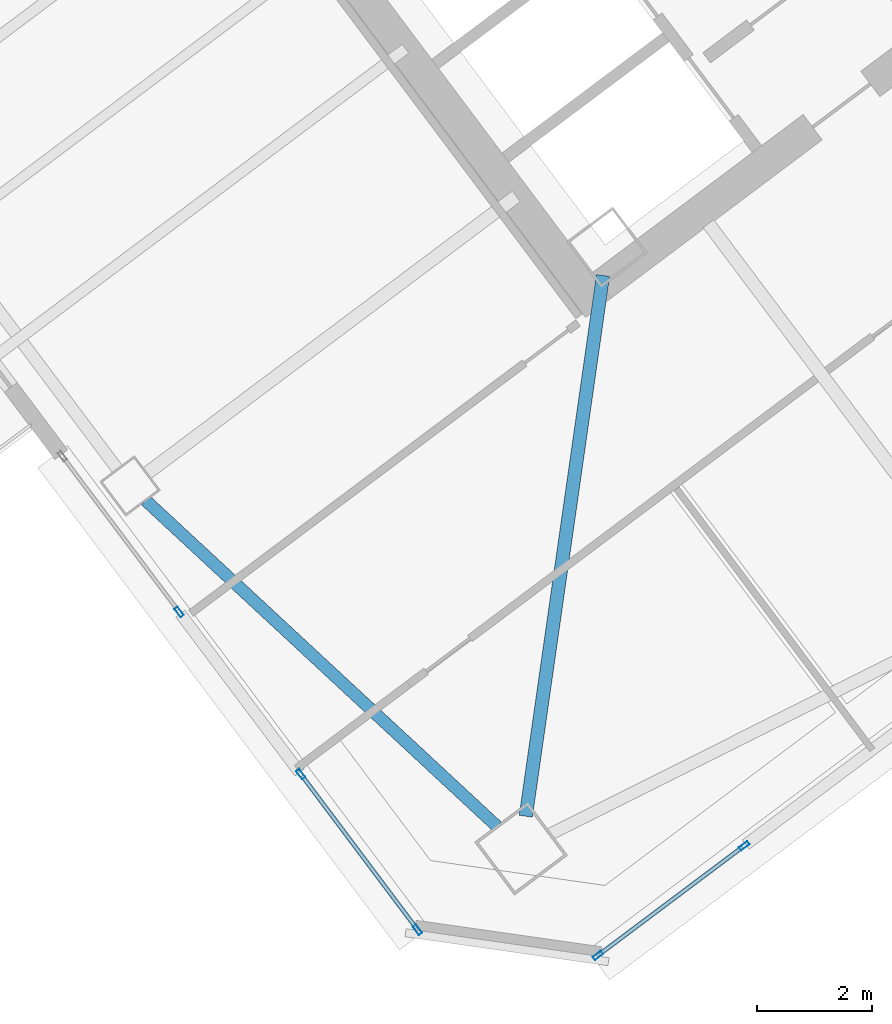
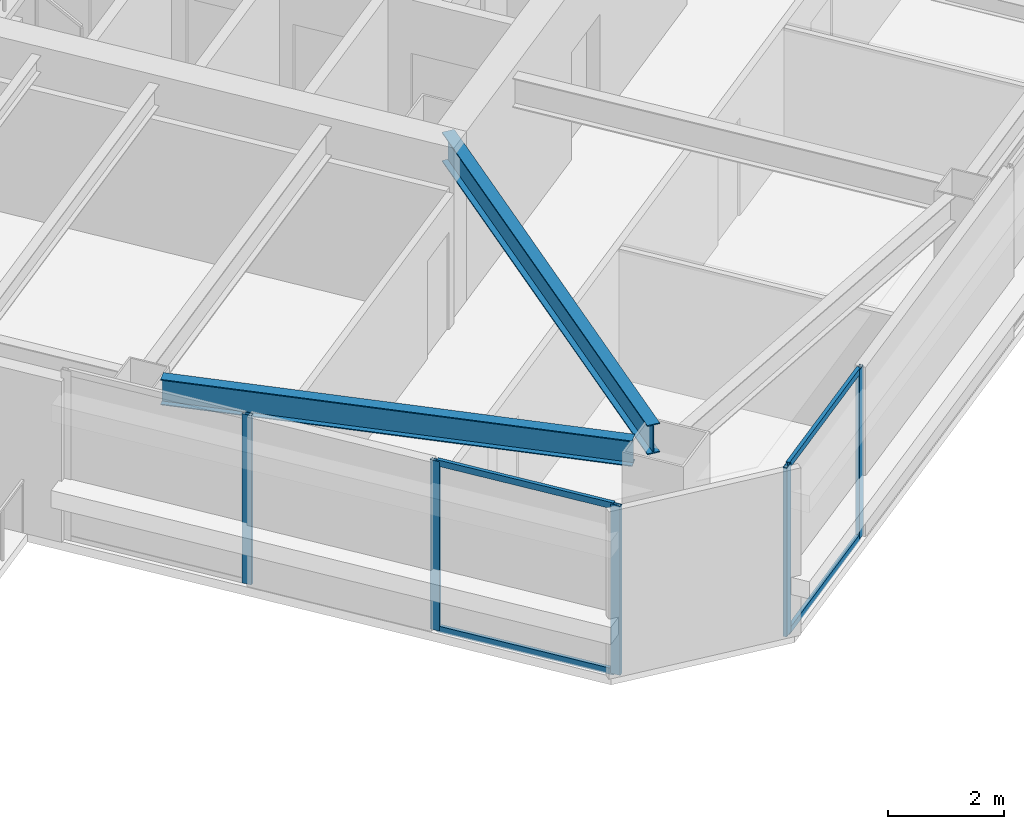
# One storey, part 17 of 41: 9 members, 2 beams, 3 elements without a shape of their own.
"""IFC4 building model written with IfcOpenShell, lengths in metres."""

import ifcopenshell
import ifcopenshell.guid

model = None  # the IFC model being written
_history = None  # IfcOwnerHistory: only IFC2X3 demands one
_inside = {}  # id of a spatial element -> (the spatial element, [elements in it])
_under = {}  # id of a project, library or spatial element -> (it, [spatial elements below it])
_declared = {}  # id of a project -> (the project, [libraries it declares])
_typed = {}  # id of a type object -> (the type object, [elements of that type])
_made_of = {}  # id of a material, layer set ... -> (it, [elements and type objects made of it])


def new_model(schema):
    """Start an empty IFC model of exactly this schema.

    Asked for "IFC4X3", IfcOpenShell would pick the latest addendum, in which some entities
    have other attributes; the version numbers below select the first issue.
    IFC2X3 requires an IfcOwnerHistory on every rooted entity: one is made here for all.
    """
    global model, _history
    if schema == "IFC4X3":
        model = ifcopenshell.file(schema_version=(4, 3, 0, 0))
    else:
        model = ifcopenshell.file(schema=schema)
    _inside.clear()
    _under.clear()
    _declared.clear()
    _typed.clear()
    _made_of.clear()
    _history = None
    if model.schema == "IFC2X3":
        org = make("IfcOrganization", Name="unknown")
        user = make(
            "IfcPersonAndOrganization",
            ThePerson=make("IfcPerson", FamilyName="unknown"),
            TheOrganization=org,
        )
        app = make(
            "IfcApplication",
            ApplicationDeveloper=org,
            Version="unknown",
            ApplicationFullName="unknown",
            ApplicationIdentifier="unknown",
        )
        _history = make(
            "IfcOwnerHistory",
            OwningUser=user,
            OwningApplication=app,
            ChangeAction="ADDED",
            CreationDate=0,
        )
    return model


def make(cls, **values):
    """One entity of the class cls with the attributes given. An attribute that is None is left unset."""
    return model.create_entity(
        cls, **{name: value for name, value in values.items() if value is not None}
    )


def rooted(cls, **values):
    """An entity with a GlobalId (a new one), such as an element, a storey or a relation."""
    return make(cls, GlobalId=ifcopenshell.guid.new(), OwnerHistory=_history, **values)


def si_unit(unit_type, name, prefix=None):
    """IfcSIUnit, for example si_unit("LENGTHUNIT", "METRE", prefix="MILLI")."""
    return make("IfcSIUnit", UnitType=unit_type, Prefix=prefix, Name=name)


def assignment(units):
    """IfcUnitAssignment: the units of a project."""
    return None if units is None else make("IfcUnitAssignment", Units=units)


def point(xyz):
    """IfcCartesianPoint."""
    return None if xyz is None else make("IfcCartesianPoint", Coordinates=xyz)


def direction(xyz):
    """IfcDirection."""
    return None if xyz is None else make("IfcDirection", DirectionRatios=xyz)


def frame(location, z_axis=None, x_axis=None):
    """IfcAxis2Placement3D, a coordinate frame: its origin and axes. An axis left out is left unset."""
    return make(
        "IfcAxis2Placement3D",
        Location=point(location),
        Axis=direction(z_axis),
        RefDirection=direction(x_axis),
    )


def frame_2d(location, x_axis=None):
    """IfcAxis2Placement2D, a coordinate frame in the plane: its origin and x axis."""
    return make(
        "IfcAxis2Placement2D", Location=point(location), RefDirection=direction(x_axis)
    )


def origin():
    """The frame at (0, 0, 0) with its axes left unset."""
    return frame((0.0, 0.0, 0.0))


def origin_2d():
    """The frame at (0, 0) in the plane with its x axis left unset."""
    return frame_2d((0.0, 0.0))


def place(relative_to, where):
    """IfcLocalPlacement: puts the frame where relative to a parent placement (None: the world)."""
    return make(
        "IfcLocalPlacement", PlacementRelTo=relative_to, RelativePlacement=where
    )


def context(
    kind, dimensions, precision=None, world=None, true_north=None, identifier=None
):
    """IfcGeometricRepresentationContext, for example the 3D "Model" context."""
    return make(
        "IfcGeometricRepresentationContext",
        ContextIdentifier=identifier,
        ContextType=kind,
        CoordinateSpaceDimension=dimensions,
        Precision=precision,
        WorldCoordinateSystem=world,
        TrueNorth=true_north,
    )


def subcontext(parent, identifier, kind, view, scale=None):
    """IfcGeometricRepresentationSubContext, for example "Body" below "Model"."""
    return make(
        "IfcGeometricRepresentationSubContext",
        ContextIdentifier=identifier,
        ContextType=kind,
        ParentContext=parent,
        TargetScale=scale,
        TargetView=view,
    )


def project(units=None, contexts=None):
    """IfcProject with its units and contexts."""
    return rooted(
        "IfcProject",
        Name="project",
        RepresentationContexts=contexts,
        UnitsInContext=assignment(units),
    )


def spatial(cls, under=None, at=None, **own):
    """A site, building, storey or space (cls), placed at a placement, below another one or the project."""
    s = rooted(cls, ObjectPlacement=at, **own)
    if under is not None:
        _under.setdefault(under.id(), (under, []))[1].append(s)
    return s


def profile(cls, at=None, kind="AREA", **sizes):
    """A parametric profile (cls). Its sizes go by their IFC names, for example OverallWidth=200.0."""
    return make(cls, ProfileType=kind, Position=at, **sizes)


def hollow_rectangle(**sizes):
    """IfcRectangleHollowProfileDef."""
    return profile("IfcRectangleHollowProfileDef", **sizes)


def i_section(**sizes):
    """IfcIShapeProfileDef."""
    return profile("IfcIShapeProfileDef", **sizes)


def extrude(swept, where, along, depth):
    """IfcExtrudedAreaSolid: the profile swept, set in the frame where, extruded along a direction by depth."""
    return make(
        "IfcExtrudedAreaSolid",
        SweptArea=swept,
        Position=where,
        ExtrudedDirection=direction(along),
        Depth=depth,
    )


def shape(context_of_items, identifier, shape_type, items):
    """IfcShapeRepresentation: the items that make up one representation, for example the "Body"."""
    return make(
        "IfcShapeRepresentation",
        ContextOfItems=context_of_items,
        RepresentationIdentifier=identifier,
        RepresentationType=shape_type,
        Items=items,
    )


def material(Name=None, Category=None):
    """IfcMaterial."""
    return make("IfcMaterial", Name=Name, Category=Category)


def material_profile(
    of_material, cross_section, Name=None, Category=None, Priority=None
):
    """IfcMaterialProfile: a cross section and its material."""
    return make(
        "IfcMaterialProfile",
        Name=Name,
        Material=of_material,
        Profile=cross_section,
        Priority=Priority,
        Category=Category,
    )


def profile_set(profiles, Name=None, composite=None):
    """IfcMaterialProfileSet."""
    return make(
        "IfcMaterialProfileSet",
        Name=Name,
        MaterialProfiles=profiles,
        CompositeProfile=composite,
    )


def made_of(thing, what):
    """Note that an element or type object is made of a material, layer set ...; save() writes the relation."""
    if what is not None:
        _made_of.setdefault(what.id(), (what, []))[1].append(thing)
    return thing


def type_object(cls, material=None, **own):
    """A type object (cls), such as IfcWallType, which elements share."""
    return made_of(rooted(cls, **own), material)


def element(
    cls,
    number,
    at=None,
    inside=None,
    cuts=None,
    type_object=None,
    material=None,
    context=None,
    identifier="Body",
    shape_type=None,
    held_by="IfcProductDefinitionShape",
    body=None,
    shapes=None,
    **own,
):
    """One element of the class cls, such as IfcWall. Its Tag is "e" and its number.

    at: its placement. inside: the storey or other place that contains it. cuts: it is an
    opening in that element (IfcRelVoidsElement). A single representation is given by context,
    identifier, shape_type and body (its items); several are given by shapes. held_by: the class
    of the entity that holds the representations. save() writes the other relations.
    """
    e = rooted(cls, Tag="e%d" % number, ObjectPlacement=at, **own)
    if body is not None:
        shapes = [shape(context, identifier, shape_type, body)]
    if shapes is not None:
        e.Representation = make(held_by, Representations=shapes)
    if inside is not None:
        _inside.setdefault(inside.id(), (inside, []))[1].append(e)
    if cuts is not None:
        rooted(
            "IfcRelVoidsElement", RelatingBuildingElement=cuts, RelatedOpeningElement=e
        )
    if type_object is not None:
        _typed.setdefault(type_object.id(), (type_object, []))[1].append(e)
    return made_of(e, material)


def aggregate(whole, parts):
    """IfcRelAggregates: a whole, such as a stair, and the parts it consists of."""
    return rooted("IfcRelAggregates", RelatingObject=whole, RelatedObjects=parts)


def save(model, path):
    """Write the relations noted so far, then the file.

    IfcRelAggregates (storeys below a building ...), IfcRelContainedInSpatialStructure (elements
    in a storey), IfcRelDefinesByType, IfcRelAssociatesMaterial and IfcRelDeclares: one each for
    every whole, place, type object, material and project.
    """
    for whole, parts in _under.values():
        aggregate(whole, parts)
    for where, things in _inside.values():
        rooted(
            "IfcRelContainedInSpatialStructure",
            RelatedElements=things,
            RelatingStructure=where,
        )
    for kind, things in _typed.values():
        rooted("IfcRelDefinesByType", RelatedObjects=things, RelatingType=kind)
    for what, things in _made_of.values():
        rooted("IfcRelAssociatesMaterial", RelatedObjects=things, RelatingMaterial=what)
    for by, libraries in _declared.values():
        rooted("IfcRelDeclares", RelatingContext=by, RelatedDefinitions=libraries)
    model.write(path)


model = new_model("IFC4")

# Units and contexts
model_context = context("Model", 3, precision=1e-05, world=origin(), true_north=direction((0.0, 1.0)))
body_context = subcontext(model_context, "Body", "Model", "MODEL_VIEW")
ifc_project = project(units=[si_unit("LENGTHUNIT", "METRE"), si_unit("AREAUNIT", "SQUARE_METRE"), si_unit("VOLUMEUNIT", "CUBIC_METRE"), si_unit("PLANEANGLEUNIT", "RADIAN"), si_unit("MASSUNIT", "GRAM", prefix="KILO")], contexts=[model_context])

# Site, building, storey
site_placement = place(None, origin())
site = spatial("IfcSite", under=ifc_project, at=site_placement, CompositionType="ELEMENT")
building_placement = place(site_placement, origin())
building = spatial("IfcBuilding", under=site, at=building_placement, Name="Tashvorn Skyway Center", CompositionType="ELEMENT")
storey_placement = place(building_placement, frame((0.0, 0.0, 171.199951171875)))
storey = spatial("IfcBuildingStorey", under=building, at=storey_placement, Name="L46", CompositionType="ELEMENT", Elevation=171.199951171875)

# Beams
ifc_material_1 = material(Name="Steel ASTM A992 Grade 50", Category="steel")
ifc_material_profile_1 = material_profile(ifc_material_1, i_section(OverallWidth=0.22998046875, OverallDepth=0.616943359375, WebThickness=0.01318359375, FlangeThickness=0.022216796875, at=origin_2d()), Name="W24X94")
ifc_profile_set_1 = profile_set([ifc_material_profile_1], Name="Steel ASTM A992 Grade 50")
beam_type_1 = type_object("IfcBeamType", Name="BM-BEAM-W24X94", PredefinedType="BEAM", material=ifc_profile_set_1)
beam_1_placement = place(storey_placement, frame((111.1806640625, 12.26416015625, 3.0615234375), z_axis=(0.141417747326, 0.989950009213, 0.0), x_axis=(-0.989950009213, 0.141417747326, 0.0)))
element("IfcBeam", 1, at=beam_1_placement, inside=storey, type_object=beam_type_1, Name="Tower 2 L46 Primary Floor Girder MC-SW", PredefinedType="BEAM", context=body_context, shape_type="SweptSolid", body=[
    extrude(i_section(OverallWidth=0.22998046875, OverallDepth=0.616943359375, WebThickness=0.01318359375, FlangeThickness=0.022216796875, at=origin_2d()), origin(), (0.0, 0.0, 1.0), 9.470947265625),
])
ifc_material_profile_2 = material_profile(ifc_material_1, i_section(OverallWidth=0.2109375, OverallDepth=0.5390625, WebThickness=0.01171875, FlangeThickness=0.018798828125, at=origin_2d()), Name="W21X73")
ifc_profile_set_2 = profile_set([ifc_material_profile_2], Name="Steel ASTM A992 Grade 50")
beam_type_2 = type_object("IfcBeamType", Name="BM-SPANDREL-W21X73", PredefinedType="SPANDREL", material=ifc_profile_set_2)
beam_2_placement = place(storey_placement, frame((104.59130859375, 17.73828125, 3.1005859375), z_axis=(0.733101115618, -0.680119661736, 0.0), x_axis=(0.680119661736, 0.733101115618, 0.0)))
element("IfcBeam", 2, at=beam_2_placement, inside=storey, type_object=beam_type_2, Name="Tower 2 L46 Spandrel Beam 12", PredefinedType="SPANDREL", context=body_context, shape_type="SweptSolid", body=[
    extrude(i_section(OverallWidth=0.2109375, OverallDepth=0.5390625, WebThickness=0.01171875, FlangeThickness=0.018798828125, at=origin_2d()), origin(), (0.0, 0.0, 1.0), 8.308349609375),
])

# Curtain wall, members
ifc_material_2 = material(Name="Thermally broken bronze-anodized aluminium 6063-T6", Category="aluminium")
curtain_wall_type = type_object("IfcCurtainWallType", Name="CW-CW-Z4", PredefinedType="NOTDEFINED", material=ifc_material_2)
curtain_wall_1_placement = place(storey_placement, origin())
curtain_wall_1 = element("IfcCurtainWall", 3, at=curtain_wall_1_placement, inside=storey, type_object=curtain_wall_type, Name="Tower 2 L46 South Unitised Curtain Wall Glazing Group 3", PredefinedType="NOTDEFINED")
ifc_material_profile_3 = material_profile(ifc_material_2, hollow_rectangle(XDim=0.070068359375, YDim=0.179931640625, WallThickness=0.00390625, at=origin_2d()), Name="ALU-MULL-70x180")
ifc_profile_set_3 = profile_set([ifc_material_profile_3], Name="Thermally broken bronze-anodized aluminium 6063-T6")
member_type_1 = type_object("IfcMemberType", Name="CWM-CW-Z4", PredefinedType="MULLION", material=ifc_profile_set_3)
member_1_placement = place(storey_placement, frame((114.968017578125, 11.7509765625, 0.0), z_axis=(0.0, 0.0, 1.0), x_axis=(0.600000000002, -0.799999999998, 0.0)))
member_1 = element("IfcMember", 4, at=member_1_placement, type_object=member_type_1, Name="CW-Z4 mullion 1", PredefinedType="MULLION", context=body_context, shape_type="SweptSolid", body=[
    extrude(hollow_rectangle(XDim=0.070068359375, YDim=0.179931640625, WallThickness=0.00390625, at=origin_2d()), origin(), (0.0, 0.0, 1.0), 3.550048828125),
])
member_2_placement = place(storey_placement, frame((112.431884765625, 9.84912109375, 0.0), z_axis=(0.0, 0.0, 1.0), x_axis=(0.600000000002, -0.799999999998, 0.0)))
member_2 = element("IfcMember", 5, at=member_2_placement, type_object=member_type_1, Name="CW-Z4 mullion 2", PredefinedType="MULLION", context=body_context, shape_type="SweptSolid", body=[
    extrude(hollow_rectangle(XDim=0.070068359375, YDim=0.179931640625, WallThickness=0.00390625, at=origin_2d()), origin(), (0.0, 0.0, 1.0), 3.550048828125),
])

curtain_wall_2_placement = place(storey_placement, origin())
curtain_wall_2 = element("IfcCurtainWall", 6, at=curtain_wall_2_placement, inside=storey, type_object=curtain_wall_type, Name="Tower 2 L46 West Curtain Wall L Glazing Group 1", PredefinedType="NOTDEFINED")
member_3_placement = place(storey_placement, frame((109.302978515625, 10.2958984375, 0.0), z_axis=(0.0, 0.0, 1.0), x_axis=(-0.800003484954, -0.599995353367, 0.0)))
member_3 = element("IfcMember", 7, at=member_3_placement, type_object=member_type_1, Name="CW-Z4 mullion 1", PredefinedType="MULLION", context=body_context, shape_type="SweptSolid", body=[
    extrude(hollow_rectangle(XDim=0.070068359375, YDim=0.179931640625, WallThickness=0.00390625, at=origin_2d()), origin(), (0.0, 0.0, 1.0), 3.550048828125),
])
member_4_placement = place(storey_placement, frame((107.279052734375, 12.99462890625, 0.0), z_axis=(0.0, 0.0, 1.0), x_axis=(-0.800003484954, -0.599995353367, 0.0)))
member_4 = element("IfcMember", 8, at=member_4_placement, type_object=member_type_1, Name="CW-Z4 mullion 2", PredefinedType="MULLION", context=body_context, shape_type="SweptSolid", body=[
    extrude(hollow_rectangle(XDim=0.070068359375, YDim=0.179931640625, WallThickness=0.00390625, at=origin_2d()), origin(), (0.0, 0.0, 1.0), 3.550048828125),
])

# Curtain wall, member
curtain_wall_3_placement = place(storey_placement, origin())
curtain_wall_3 = element("IfcCurtainWall", 9, at=curtain_wall_3_placement, inside=storey, type_object=curtain_wall_type, Name="Tower 2 L46 West Curtain Wall L Glazing Group 2", PredefinedType="NOTDEFINED")
member_5_placement = place(storey_placement, frame((105.1708984375, 15.805419921875, 0.0), z_axis=(0.0, 0.0, 1.0), x_axis=(-0.800003484954, -0.599995353367, 0.0)))
member_5 = element("IfcMember", 10, at=member_5_placement, type_object=member_type_1, Name="CW-Z4 mullion 1", PredefinedType="MULLION", context=body_context, shape_type="SweptSolid", body=[
    extrude(hollow_rectangle(XDim=0.070068359375, YDim=0.179931640625, WallThickness=0.00390625, at=origin_2d()), origin(), (0.0, 0.0, 1.0), 3.550048828125),
])
aggregate(curtain_wall_3, [member_5])

# Member
ifc_material_profile_4 = material_profile(ifc_material_2, hollow_rectangle(XDim=0.070068359375, YDim=0.1298828125, WallThickness=0.00390625, at=origin_2d()), Name="ALU-TRAN-70x130")
ifc_profile_set_4 = profile_set([ifc_material_profile_4], Name="Thermally broken bronze-anodized aluminium 6063-T6")
member_type_2 = type_object("IfcMemberType", Name="CWT-CW-Z4", PredefinedType="USERDEFINED", material=ifc_profile_set_4)
member_6_placement = place(storey_placement, frame((114.93994140625, 11.72998046875, 0.03515625), z_axis=(-0.800018901408, -0.599974797295, 0.0), x_axis=(0.599974797295, -0.800018901408, 0.0)))
member_6 = element("IfcMember", 11, at=member_6_placement, type_object=member_type_2, Name="CW-Z4 transom 1.1", ObjectType="TRANSOM", PredefinedType="USERDEFINED", context=body_context, shape_type="SweptSolid", body=[
    extrude(hollow_rectangle(XDim=0.070068359375, YDim=0.1298828125, WallThickness=0.00390625, at=origin_2d()), origin(), (0.0, 0.0, 1.0), 3.099853515625),
])

member_7_placement = place(storey_placement, frame((114.93994140625, 11.72998046875, 3.51513671875), z_axis=(-0.800018901408, -0.599974797295, 0.0), x_axis=(0.599974797295, -0.800018901408, 0.0)))
member_7 = element("IfcMember", 12, at=member_7_placement, type_object=member_type_2, Name="CW-Z4 transom 1.2", ObjectType="TRANSOM", PredefinedType="USERDEFINED", context=body_context, shape_type="SweptSolid", body=[
    extrude(hollow_rectangle(XDim=0.070068359375, YDim=0.1298828125, WallThickness=0.00390625, at=origin_2d()), origin(), (0.0, 0.0, 1.0), 3.099853515625),
])

aggregate(curtain_wall_1, [member_1, member_2, member_6, member_7])

member_8_placement = place(storey_placement, frame((109.281982421875, 10.323974609375, 0.03515625), z_axis=(-0.599964524789, 0.800026605179, 0.0), x_axis=(-0.800026605179, -0.599964524789, 0.0)))
member_8 = element("IfcMember", 13, at=member_8_placement, type_object=member_type_2, Name="CW-Z4 transom 1.1", ObjectType="TRANSOM", PredefinedType="USERDEFINED", context=body_context, shape_type="SweptSolid", body=[
    extrude(hollow_rectangle(XDim=0.070068359375, YDim=0.1298828125, WallThickness=0.00390625, at=origin_2d()), origin(), (0.0, 0.0, 1.0), 3.303466796875),
])

member_9_placement = place(storey_placement, frame((109.281982421875, 10.323974609375, 3.51513671875), z_axis=(-0.599964524789, 0.800026605179, 0.0), x_axis=(-0.800026605179, -0.599964524789, 0.0)))
member_9 = element("IfcMember", 14, at=member_9_placement, type_object=member_type_2, Name="CW-Z4 transom 1.2", ObjectType="TRANSOM", PredefinedType="USERDEFINED", context=body_context, shape_type="SweptSolid", body=[
    extrude(hollow_rectangle(XDim=0.070068359375, YDim=0.1298828125, WallThickness=0.00390625, at=origin_2d()), origin(), (0.0, 0.0, 1.0), 3.303466796875),
])

aggregate(curtain_wall_2, [member_3, member_4, member_8, member_9])

save(model, "model.ifc")
